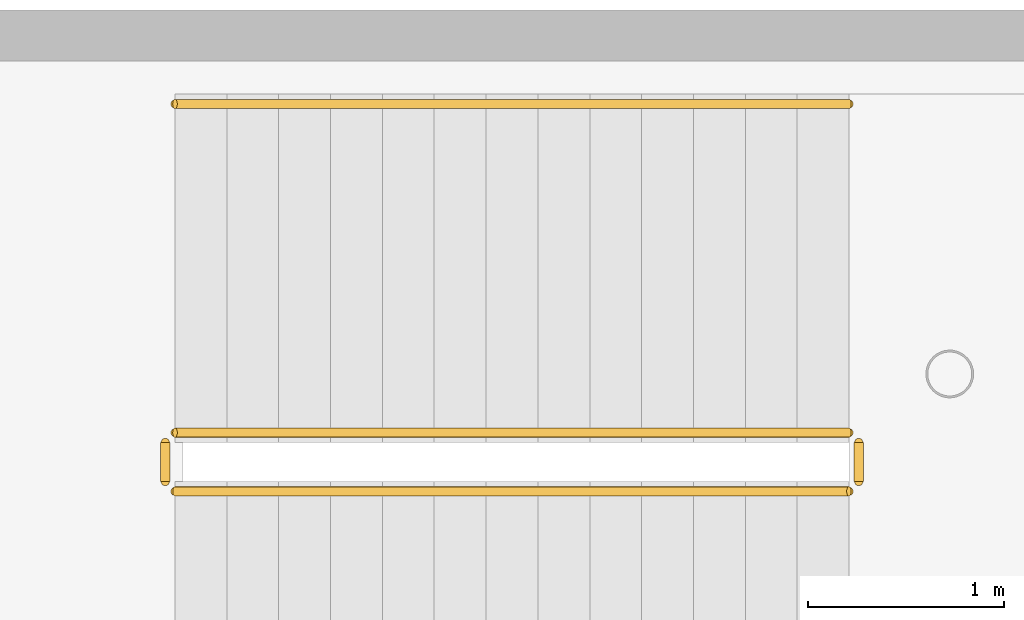
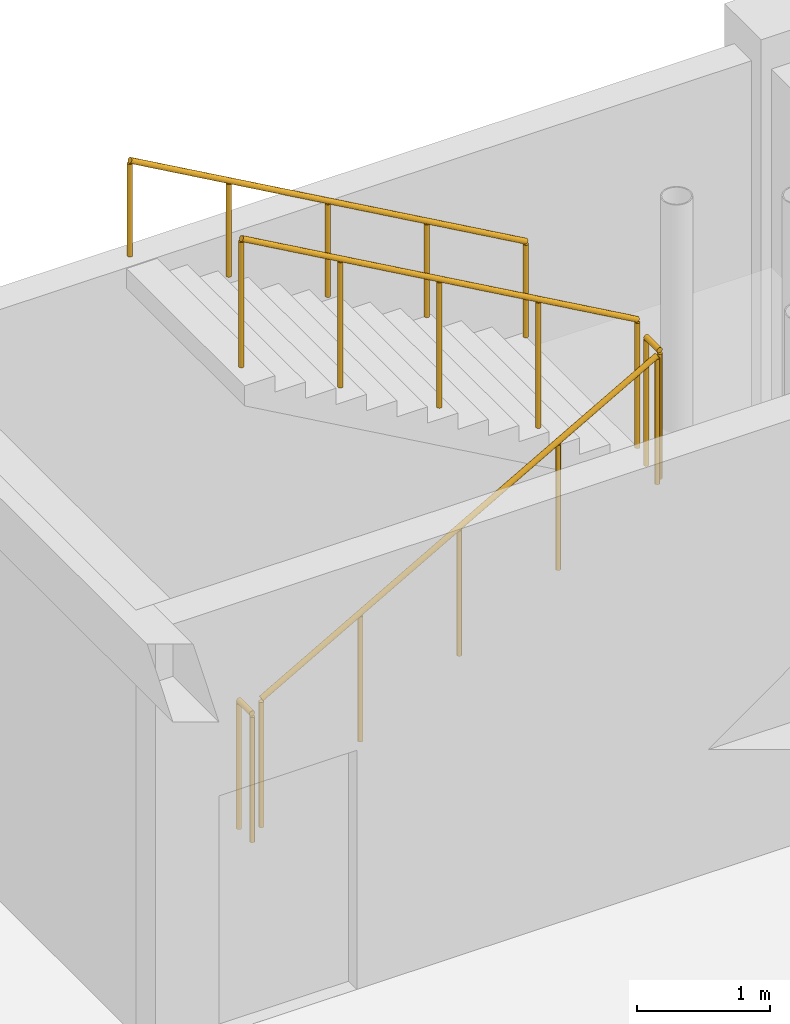
# One storey, part 189 of 195: 5 railings.
"""IFC4 building model written with IfcOpenShell, lengths in metres."""

from ifc_helpers import new_model, si_unit, direction, frame, origin, origin_2d, place, context, subcontext, project, spatial, circle, extrude, material, type_object, element, save


model = new_model("IFC4")

# Units and contexts
model_context = context("Model", 3, precision=1e-05, world=origin(), true_north=direction((0.0, 1.0)))
body_context = subcontext(model_context, "Body", "Model", "MODEL_VIEW")
ifc_project = project(units=[si_unit("LENGTHUNIT", "METRE"), si_unit("AREAUNIT", "SQUARE_METRE"), si_unit("VOLUMEUNIT", "CUBIC_METRE"), si_unit("PLANEANGLEUNIT", "RADIAN"), si_unit("MASSUNIT", "GRAM", prefix="KILO")], contexts=[model_context])

# Site, building, storey
site_placement = place(None, origin())
site = spatial("IfcSite", under=ifc_project, at=site_placement, CompositionType="ELEMENT")
building_placement = place(site_placement, origin())
building = spatial("IfcBuilding", under=site, at=building_placement, Name="Kharva Crest Polytechnic", CompositionType="ELEMENT")
storey_placement = place(building_placement, frame((0.0, 0.0, 9.0)))
storey = spatial("IfcBuildingStorey", under=building, at=storey_placement, Name="L02", CompositionType="ELEMENT", Elevation=9.0)

# Railings
ifc_material_1 = material(Name="Anodised aluminium", Category="aluminium")
railing_type_1 = type_object("IfcRailingType", Name="RL-STAIR-GUARD-1200", PredefinedType="GUARDRAIL", material=ifc_material_1)
railing_1_placement = place(storey_placement, frame((58.090087890625, 119.669921875, 0.14990234375)))
element("IfcRailing", 1, at=railing_1_placement, inside=storey, type_object=railing_type_1, Name="L02 ST-03 stair guard 1", PredefinedType="GUARDRAIL", context=body_context, shape_type="SweptSolid", body=[
    extrude(circle(Radius=0.02392578125, at=origin_2d()), frame((0.0, 0.0, 1.17578125), z_axis=(0.870224926921, 0.0, 0.492654621987), x_axis=(0.0, 1.0, 0.0)), (0.0, 0.0, 1.0), 3.95849609375),
    extrude(circle(Radius=0.02099609375, at=origin_2d()), origin(), (0.0, 0.0, 1.0), 1.15185546875),
    extrude(circle(Radius=0.02099609375, at=origin_2d()), frame((0.861328125, 0.0, 0.487548828125)), (0.0, 0.0, 1.0), 1.15185546875),
    extrude(circle(Radius=0.02099609375, at=origin_2d()), frame((1.722412109375, 0.0, 0.97509765625)), (0.0, 0.0, 1.0), 1.15185546875),
    extrude(circle(Radius=0.02099609375, at=origin_2d()), frame((2.58349609375, 0.0, 1.462646484375)), (0.0, 0.0, 1.0), 1.15185546875),
    extrude(circle(Radius=0.02099609375, at=origin_2d()), frame((3.44482421875, 0.0, 1.9501953125)), (0.0, 0.0, 1.0), 1.15185546875),
])
railing_2_placement = place(storey_placement, frame((61.5849609375, 119.719970703125, 2.10009765625)))
element("IfcRailing", 2, at=railing_2_placement, inside=storey, type_object=railing_type_1, Name="L02 ST-03 stair guard 2", PredefinedType="GUARDRAIL", context=body_context, shape_type="SweptSolid", body=[
    extrude(circle(Radius=0.02392578125, at=origin_2d()), frame((0.0, 0.0, 1.17578125), z_axis=(0.0, 1.0, 0.0), x_axis=(-1.0, 0.0, 0.0)), (0.0, 0.0, 1.0), 0.199951171875),
    extrude(circle(Radius=0.02099609375, at=origin_2d()), origin(), (0.0, 0.0, 1.0), 1.15185546875),
    extrude(circle(Radius=0.02099609375, at=origin_2d()), frame((0.0, 0.199951171875, 0.0)), (0.0, 0.0, 1.0), 1.15185546875),
])
railing_3_placement = place(storey_placement, frame((61.534912109375, 119.969970703125, 2.25)))
element("IfcRailing", 3, at=railing_3_placement, inside=storey, type_object=railing_type_1, Name="L02 ST-03 stair guard 3", PredefinedType="GUARDRAIL", context=body_context, shape_type="SweptSolid", body=[
    extrude(circle(Radius=0.02392578125, at=origin_2d()), frame((0.0, 0.0, 1.17578125), z_axis=(-0.870251367514, 0.0, 0.492607914411), x_axis=(0.0, -1.0, 0.0)), (0.0, 0.0, 1.0), 3.95849609375),
    extrude(circle(Radius=0.02099609375, at=origin_2d()), origin(), (0.0, 0.0, 1.0), 1.15185546875),
    extrude(circle(Radius=0.02099609375, at=origin_2d()), frame((-0.861328125, 0.0, 0.487548828125)), (0.0, 0.0, 1.0), 1.15185546875),
    extrude(circle(Radius=0.02099609375, at=origin_2d()), frame((-1.722412109375, 0.0, 0.97509765625)), (0.0, 0.0, 1.0), 1.15185546875),
    extrude(circle(Radius=0.02099609375, at=origin_2d()), frame((-2.58349609375, 0.0, 1.46240234375)), (0.0, 0.0, 1.0), 1.15185546875),
    extrude(circle(Radius=0.02099609375, at=origin_2d()), frame((-3.44482421875, 0.0, 1.949951171875)), (0.0, 0.0, 1.0), 1.15185546875),
])
railing_4_placement = place(storey_placement, frame((58.0400390625, 119.719970703125, 0.0)))
element("IfcRailing", 4, at=railing_4_placement, inside=storey, type_object=railing_type_1, Name="L02 ST-03 stair guard 4", PredefinedType="GUARDRAIL", context=body_context, shape_type="SweptSolid", body=[
    extrude(circle(Radius=0.02392578125, at=origin_2d()), frame((0.0, 0.0, 1.17578125), z_axis=(0.0, 1.0, 0.0), x_axis=(-1.0, 0.0, 0.0)), (0.0, 0.0, 1.0), 0.199951171875),
    extrude(circle(Radius=0.02099609375, at=origin_2d()), origin(), (0.0, 0.0, 1.0), 1.15185546875),
    extrude(circle(Radius=0.02099609375, at=origin_2d()), frame((0.0, 0.199951171875, 0.0)), (0.0, 0.0, 1.0), 1.15185546875),
])
ifc_material_2 = material(Name="Teak timber", Category="wood")
railing_type_2 = type_object("IfcRailingType", Name="RL-STAIR-HAND-900", PredefinedType="HANDRAIL", material=ifc_material_2)
railing_5_placement = place(storey_placement, frame((61.534912109375, 121.64990234375, 2.25)))
element("IfcRailing", 5, at=railing_5_placement, inside=storey, type_object=railing_type_2, Name="L02 ST-03 stair handrail 2", PredefinedType="HANDRAIL", context=body_context, shape_type="SweptSolid", body=[
    extrude(circle(Radius=0.02392578125, at=origin_2d()), frame((0.0, 0.0, 0.8759765625), z_axis=(-0.870251367514, 0.0, 0.492607914411), x_axis=(0.0, -1.0, 0.0)), (0.0, 0.0, 1.0), 3.95849609375),
    extrude(circle(Radius=0.02099609375, at=origin_2d()), origin(), (0.0, 0.0, 1.0), 0.851806640625),
    extrude(circle(Radius=0.02099609375, at=origin_2d()), frame((-0.861328125, 0.0, 0.487548828125)), (0.0, 0.0, 1.0), 0.851806640625),
    extrude(circle(Radius=0.02099609375, at=origin_2d()), frame((-1.722412109375, 0.0, 0.97509765625)), (0.0, 0.0, 1.0), 0.851806640625),
    extrude(circle(Radius=0.02099609375, at=origin_2d()), frame((-2.58349609375, 0.0, 1.46240234375)), (0.0, 0.0, 1.0), 0.851806640625),
    extrude(circle(Radius=0.02099609375, at=origin_2d()), frame((-3.44482421875, 0.0, 1.949951171875)), (0.0, 0.0, 1.0), 0.851806640625),
])

save(model, "model.ifc")
